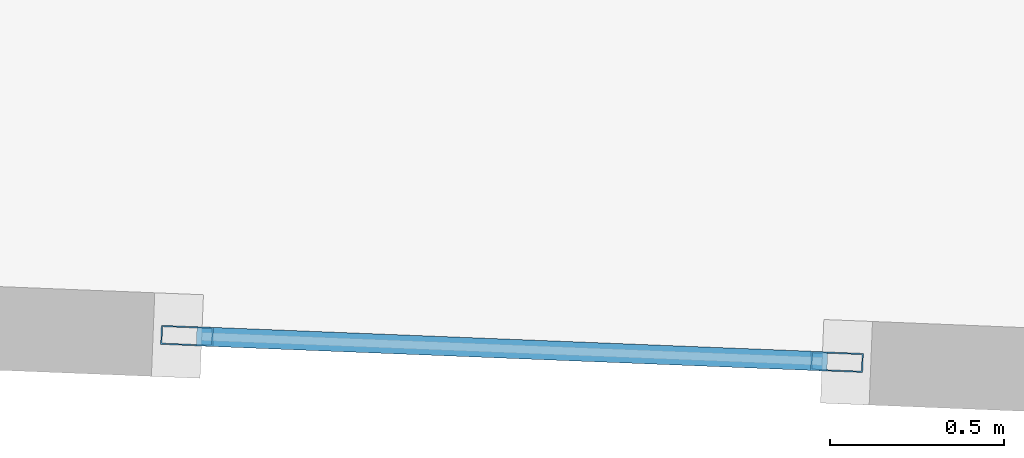
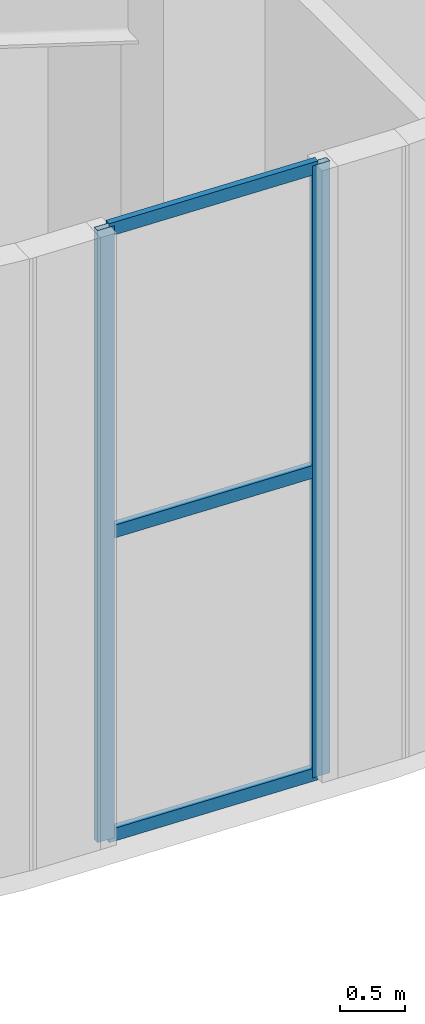
# One storey, part 2 of 10: 5 members, 1 element without a shape of its own.
"""IFC4 building model written with IfcOpenShell, lengths in metres."""

from ifc_helpers import new_model, si_unit, direction, frame, origin, origin_2d, place, context, subcontext, project, spatial, hollow_rectangle, extrude, material, layer, layer_set, material_profile, profile_set, type_object, element, aggregate, save


model = new_model("IFC4")

# Units and contexts
model_context = context("Model", 3, precision=1e-05, world=origin(), true_north=direction((0.0, 1.0)))
body_context = subcontext(model_context, "Body", "Model", "MODEL_VIEW")
ifc_project = project(units=[si_unit("LENGTHUNIT", "METRE"), si_unit("AREAUNIT", "SQUARE_METRE"), si_unit("VOLUMEUNIT", "CUBIC_METRE"), si_unit("PLANEANGLEUNIT", "RADIAN"), si_unit("MASSUNIT", "GRAM", prefix="KILO")], contexts=[model_context])

# Site, building, storey
site_placement = place(None, origin())
site = spatial("IfcSite", under=ifc_project, at=site_placement, CompositionType="ELEMENT")
building_placement = place(site_placement, origin())
building = spatial("IfcBuilding", under=site, at=building_placement, Name="Miruveldt Soraemaru", CompositionType="ELEMENT")
storey_placement = place(building_placement, frame((0.0, 0.0, 306.800048828125)))
storey = spatial("IfcBuildingStorey", under=building, at=storey_placement, Name="L81", CompositionType="ELEMENT", Elevation=306.800048828125)

# Curtain wall, members
ifc_material = material(Name="Anodised aluminium EN AW-6063 T6", Category="aluminium")
ifc_layer = layer(ifc_material, 0.14990234375, Name="Anodised aluminium EN AW-6063 T6", Category="aluminium")
ifc_layer_set = layer_set([ifc_layer], Name="Anodised aluminium EN AW-6063 T6")
curtain_wall_type = type_object("IfcCurtainWallType", Name="CW-SYS-6", PredefinedType="USERDEFINED", material=ifc_layer_set)
curtain_wall_placement = place(storey_placement, origin())
curtain_wall = element("IfcCurtainWall", 1, at=curtain_wall_placement, inside=storey, type_object=curtain_wall_type, Name="L81 Curtain Wall Bay 24", ObjectType="UNITISED GLAZING", PredefinedType="USERDEFINED")
ifc_material_profile_1 = material_profile(ifc_material, hollow_rectangle(XDim=0.054931640625, YDim=0.14990234375, WallThickness=0.00390625, at=origin_2d()), Name="Anodised aluminium EN AW-6063 T6", Category="aluminium")
ifc_profile_set_1 = profile_set([ifc_material_profile_1], Name="Anodised aluminium EN AW-6063 T6")
member_type_1 = type_object("IfcMemberType", Name="CWM-6", PredefinedType="MULLION", material=ifc_profile_set_1)
member_1_placement = place(storey_placement, frame((41.456787109375, 26.456787109375, 0.0), z_axis=(0.0, 0.0, 1.0), x_axis=(0.039938962692, 0.999202121324, 0.0)))
member_1 = element("IfcMember", 2, at=member_1_placement, type_object=member_type_1, Name="CW-6 mullion 1", PredefinedType="MULLION", context=body_context, shape_type="SweptSolid", body=[
    extrude(hollow_rectangle(XDim=0.054931640625, YDim=0.14990234375, WallThickness=0.00390625, at=origin_2d()), origin(), (0.0, 0.0, 1.0), 5.739990234375),
])
member_2_placement = place(storey_placement, frame((43.3232421875, 26.382080078125, 0.0), z_axis=(0.0, 0.0, 1.0), x_axis=(0.039938962692, 0.999202121324, 0.0)))
member_2 = element("IfcMember", 3, at=member_2_placement, type_object=member_type_1, Name="CW-6 mullion 2", PredefinedType="MULLION", context=body_context, shape_type="SweptSolid", body=[
    extrude(hollow_rectangle(XDim=0.054931640625, YDim=0.14990234375, WallThickness=0.00390625, at=origin_2d()), origin(), (0.0, 0.0, 1.0), 5.739990234375),
])
ifc_material_profile_2 = material_profile(ifc_material, hollow_rectangle(XDim=0.054931640625, YDim=0.1201171875, WallThickness=0.00390625, at=origin_2d()), Name="Anodised aluminium EN AW-6063 T6", Category="aluminium")
ifc_profile_set_2 = profile_set([ifc_material_profile_2], Name="Anodised aluminium EN AW-6063 T6")
member_type_2 = type_object("IfcMemberType", Name="CWT-6", PredefinedType="USERDEFINED", material=ifc_profile_set_2)
member_3_placement = place(storey_placement, frame((41.484130859375, 26.45556640625, 0.02734375), z_axis=(0.99920525529, -0.039860479187, 0.0), x_axis=(0.039860479187, 0.99920525529, 0.0)))
member_3 = element("IfcMember", 4, at=member_3_placement, type_object=member_type_2, Name="CW-6 transom 1.1", ObjectType="TRANSOM", PredefinedType="USERDEFINED", context=body_context, shape_type="SweptSolid", body=[
    extrude(hollow_rectangle(XDim=0.054931640625, YDim=0.1201171875, WallThickness=0.00390625, at=origin_2d()), origin(), (0.0, 0.0, 1.0), 1.81298828125),
])
member_4_placement = place(storey_placement, frame((41.484130859375, 26.45556640625, 2.869873046875), z_axis=(0.99920525529, -0.039860479187, 0.0), x_axis=(0.039860479187, 0.99920525529, 0.0)))
member_4 = element("IfcMember", 5, at=member_4_placement, type_object=member_type_2, Name="CW-6 transom 1.2", ObjectType="TRANSOM", PredefinedType="USERDEFINED", context=body_context, shape_type="SweptSolid", body=[
    extrude(hollow_rectangle(XDim=0.054931640625, YDim=0.1201171875, WallThickness=0.00390625, at=origin_2d()), origin(), (0.0, 0.0, 1.0), 1.81298828125),
])
member_5_placement = place(storey_placement, frame((41.484130859375, 26.45556640625, 5.71240234375), z_axis=(0.99920525529, -0.039860479187, 0.0), x_axis=(0.039860479187, 0.99920525529, 0.0)))
member_5 = element("IfcMember", 6, at=member_5_placement, type_object=member_type_2, Name="CW-6 transom 1.3", ObjectType="TRANSOM", PredefinedType="USERDEFINED", context=body_context, shape_type="SweptSolid", body=[
    extrude(hollow_rectangle(XDim=0.054931640625, YDim=0.1201171875, WallThickness=0.00390625, at=origin_2d()), origin(), (0.0, 0.0, 1.0), 1.81298828125),
])
aggregate(curtain_wall, [member_1, member_2, member_3, member_4, member_5])

save(model, "model.ifc")
